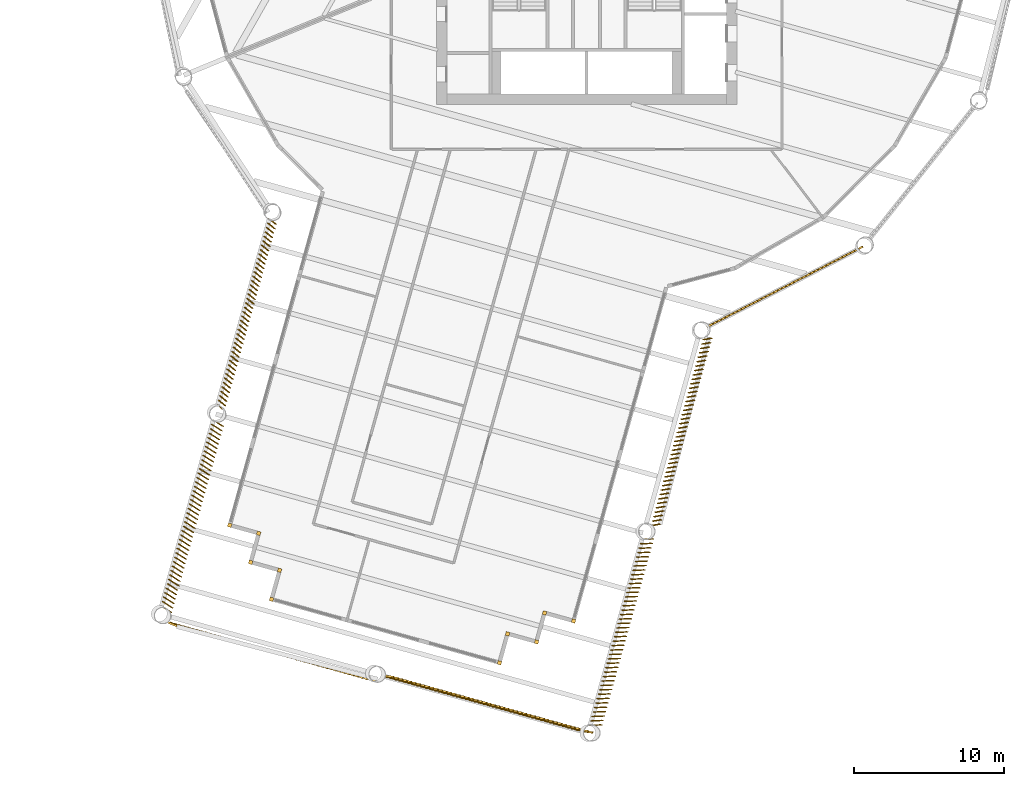
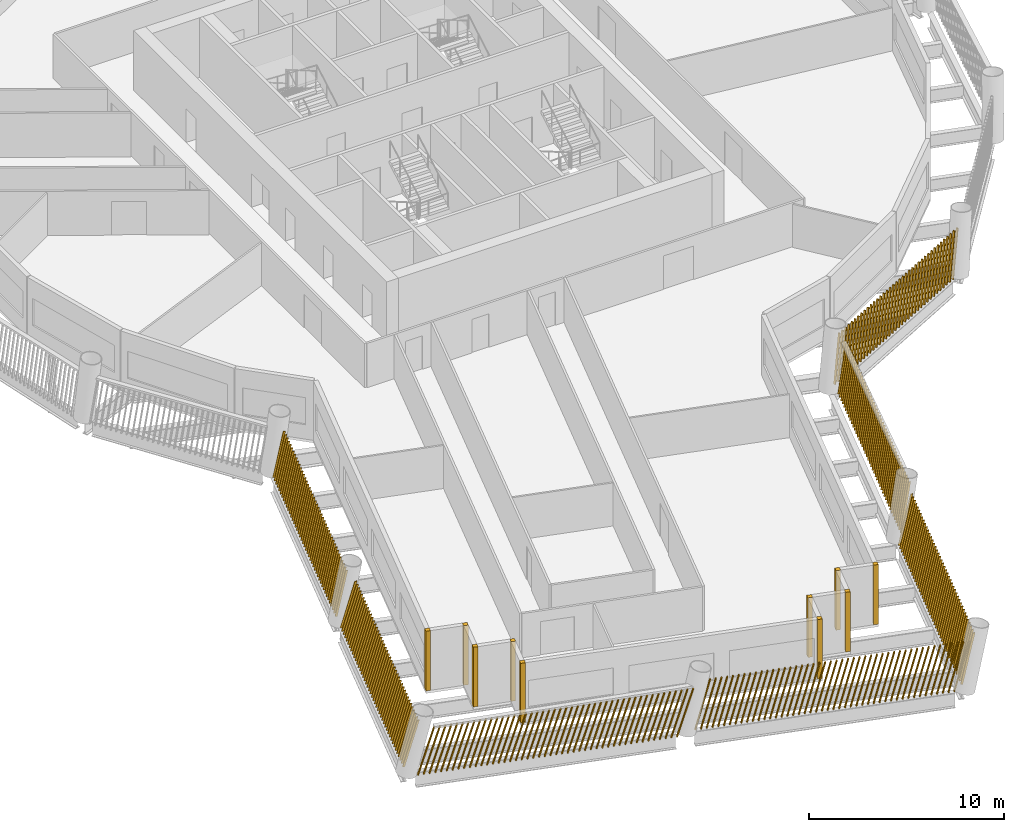
# One storey, part 11 of 15: 17 shading devices.
"""IFC4 building model written with IfcOpenShell, lengths in metres."""

from ifc_helpers import new_model, si_unit, direction, frame, frame_2d, origin, origin_2d, place, context, subcontext, project, spatial, rectangle, composite_profile, extrude, material, type_object, element, save


model = new_model("IFC4")

# Units and contexts
model_context = context("Model", 3, precision=1e-05, world=origin(), true_north=direction((0.0, 1.0)))
body_context = subcontext(model_context, "Body", "Model", "MODEL_VIEW")
ifc_project = project(units=[si_unit("LENGTHUNIT", "METRE"), si_unit("AREAUNIT", "SQUARE_METRE"), si_unit("VOLUMEUNIT", "CUBIC_METRE"), si_unit("PLANEANGLEUNIT", "RADIAN"), si_unit("MASSUNIT", "GRAM", prefix="KILO")], contexts=[model_context])

# Site, building, storey
site_placement = place(None, origin())
site = spatial("IfcSite", under=ifc_project, at=site_placement, CompositionType="ELEMENT")
building_placement = place(site_placement, origin())
building = spatial("IfcBuilding", under=site, at=building_placement, Name="Tarsis Ring Headquarters", CompositionType="ELEMENT")
storey_placement = place(building_placement, frame((0.0, 0.0, 159.300048828125)))
storey = spatial("IfcBuildingStorey", under=building, at=storey_placement, Name="L36", CompositionType="ELEMENT", Elevation=159.300048828125)

# Shading devices
ifc_material = material(Name="Terracotta baguette", Category="masonry")
shading_device_type_1 = type_object("IfcShadingDeviceType", Name="Terracotta baguette screen", PredefinedType="USERDEFINED", material=ifc_material)
shading_device_1_placement = place(storey_placement, frame((-21.0966796875, -20.591064453125, 0.0), z_axis=(0.0, 0.0, 1.0), x_axis=(-0.268240993037, -0.963347714199, 0.0)))
element("IfcShadingDevice", 1, at=shading_device_1_placement, inside=storey, type_object=shading_device_type_1, Name="Baguette screen L36-01", ObjectType="Terracotta baguette screen", PredefinedType="USERDEFINED", context=body_context, shape_type="SweptSolid", body=[
    extrude(composite_profile([rectangle(XDim=0.06005859375, YDim=0.1201171875, at=frame_2d((0.030029296875, 0.0))), rectangle(XDim=0.06005859375, YDim=0.1201171875, at=frame_2d((0.335693359375, 0.0))), rectangle(XDim=0.06005859375, YDim=0.1201171875, at=frame_2d((0.6416015625, 0.0))), rectangle(XDim=0.06005859375, YDim=0.1201171875, at=frame_2d((0.947265625, 0.0))), rectangle(XDim=0.06005859375, YDim=0.1201171875, at=frame_2d((1.253173828125, 0.0))), rectangle(XDim=0.06005859375, YDim=0.1201171875, at=frame_2d((1.558837890625, 0.0))), rectangle(XDim=0.06005859375, YDim=0.1201171875, at=frame_2d((1.864501953125, 0.0))), rectangle(XDim=0.06005859375, YDim=0.1201171875, at=frame_2d((2.17041015625, 0.0))), rectangle(XDim=0.06005859375, YDim=0.1201171875, at=frame_2d((2.47607421875, 0.0))), rectangle(XDim=0.06005859375, YDim=0.1201171875, at=frame_2d((2.781982421875, 0.0))), rectangle(XDim=0.06005859375, YDim=0.1201171875, at=frame_2d((3.087646484375, 0.0))), rectangle(XDim=0.06005859375, YDim=0.1201171875, at=frame_2d((3.393310546875, 0.0))), rectangle(XDim=0.06005859375, YDim=0.1201171875, at=frame_2d((3.69921875, 0.0))), rectangle(XDim=0.06005859375, YDim=0.1201171875, at=frame_2d((4.0048828125, 0.0))), rectangle(XDim=0.06005859375, YDim=0.1201171875, at=frame_2d((4.310791015625, 0.0))), rectangle(XDim=0.06005859375, YDim=0.1201171875, at=frame_2d((4.616455078125, 0.0))), rectangle(XDim=0.06005859375, YDim=0.1201171875, at=frame_2d((4.922119140625, 0.0))), rectangle(XDim=0.06005859375, YDim=0.1201171875, at=frame_2d((5.22802734375, 0.0))), rectangle(XDim=0.06005859375, YDim=0.1201171875, at=frame_2d((5.53369140625, 0.0))), rectangle(XDim=0.06005859375, YDim=0.1201171875, at=frame_2d((5.839599609375, 0.0))), rectangle(XDim=0.06005859375, YDim=0.1201171875, at=frame_2d((6.145263671875, 0.0))), rectangle(XDim=0.06005859375, YDim=0.1201171875, at=frame_2d((6.451171875, 0.0))), rectangle(XDim=0.06005859375, YDim=0.1201171875, at=frame_2d((6.7568359375, 0.0))), rectangle(XDim=0.06005859375, YDim=0.1201171875, at=frame_2d((7.0625, 0.0))), rectangle(XDim=0.06005859375, YDim=0.1201171875, at=frame_2d((7.368408203125, 0.0))), rectangle(XDim=0.06005859375, YDim=0.1201171875, at=frame_2d((7.674072265625, 0.0))), rectangle(XDim=0.06005859375, YDim=0.1201171875, at=frame_2d((7.97998046875, 0.0))), rectangle(XDim=0.06005859375, YDim=0.1201171875, at=frame_2d((8.28564453125, 0.0))), rectangle(XDim=0.06005859375, YDim=0.1201171875, at=frame_2d((8.59130859375, 0.0))), rectangle(XDim=0.06005859375, YDim=0.1201171875, at=frame_2d((8.897216796875, 0.0))), rectangle(XDim=0.06005859375, YDim=0.1201171875, at=frame_2d((9.202880859375, 0.0))), rectangle(XDim=0.06005859375, YDim=0.1201171875, at=frame_2d((9.5087890625, 0.0))), rectangle(XDim=0.06005859375, YDim=0.1201171875, at=frame_2d((9.814453125, 0.0))), rectangle(XDim=0.06005859375, YDim=0.1201171875, at=frame_2d((10.1201171875, 0.0))), rectangle(XDim=0.06005859375, YDim=0.1201171875, at=frame_2d((10.426025390625, 0.0))), rectangle(XDim=0.06005859375, YDim=0.1201171875, at=frame_2d((10.731689453125, 0.0))), rectangle(XDim=0.06005859375, YDim=0.1201171875, at=frame_2d((11.03759765625, 0.0))), rectangle(XDim=0.06005859375, YDim=0.1201171875, at=frame_2d((11.34326171875, 0.0))), rectangle(XDim=0.06005859375, YDim=0.1201171875, at=frame_2d((11.64892578125, 0.0))), rectangle(XDim=0.06005859375, YDim=0.1201171875, at=frame_2d((11.954833984375, 0.0))), rectangle(XDim=0.06005859375, YDim=0.1201171875, at=frame_2d((12.260498046875, 0.0))), rectangle(XDim=0.06005859375, YDim=0.1201171875, at=frame_2d((12.56640625, 0.0))), rectangle(XDim=0.06005859375, YDim=0.1201171875, at=frame_2d((12.8720703125, 0.0)))]), origin(), (0.076142282344, 0.167797563397, 0.982876559166), 3.00146484375),
])
shading_device_2_placement = place(storey_placement, frame((-24.825927734375, -33.98388671875, 0.0), z_axis=(0.0, 0.0, 1.0), x_axis=(-0.26824606884, -0.963347020645, 0.0)))
element("IfcShadingDevice", 2, at=shading_device_2_placement, inside=storey, type_object=shading_device_type_1, Name="Baguette screen L36-02", ObjectType="Terracotta baguette screen", PredefinedType="USERDEFINED", context=body_context, shape_type="SweptSolid", body=[
    extrude(composite_profile([rectangle(XDim=0.06005859375, YDim=0.1201171875, at=frame_2d((0.030029296875, 0.0))), rectangle(XDim=0.06005859375, YDim=0.1201171875, at=frame_2d((0.335693359375, 0.0))), rectangle(XDim=0.06005859375, YDim=0.1201171875, at=frame_2d((0.6416015625, 0.0))), rectangle(XDim=0.06005859375, YDim=0.1201171875, at=frame_2d((0.947265625, 0.0))), rectangle(XDim=0.06005859375, YDim=0.1201171875, at=frame_2d((1.253173828125, 0.0))), rectangle(XDim=0.06005859375, YDim=0.1201171875, at=frame_2d((1.558837890625, 0.0))), rectangle(XDim=0.06005859375, YDim=0.1201171875, at=frame_2d((1.864501953125, 0.0))), rectangle(XDim=0.06005859375, YDim=0.1201171875, at=frame_2d((2.17041015625, 0.0))), rectangle(XDim=0.06005859375, YDim=0.1201171875, at=frame_2d((2.47607421875, 0.0))), rectangle(XDim=0.06005859375, YDim=0.1201171875, at=frame_2d((2.781982421875, 0.0))), rectangle(XDim=0.06005859375, YDim=0.1201171875, at=frame_2d((3.087646484375, 0.0))), rectangle(XDim=0.06005859375, YDim=0.1201171875, at=frame_2d((3.393310546875, 0.0))), rectangle(XDim=0.06005859375, YDim=0.1201171875, at=frame_2d((3.69921875, 0.0))), rectangle(XDim=0.06005859375, YDim=0.1201171875, at=frame_2d((4.0048828125, 0.0))), rectangle(XDim=0.06005859375, YDim=0.1201171875, at=frame_2d((4.310791015625, 0.0))), rectangle(XDim=0.06005859375, YDim=0.1201171875, at=frame_2d((4.616455078125, 0.0))), rectangle(XDim=0.06005859375, YDim=0.1201171875, at=frame_2d((4.922119140625, 0.0))), rectangle(XDim=0.06005859375, YDim=0.1201171875, at=frame_2d((5.22802734375, 0.0))), rectangle(XDim=0.06005859375, YDim=0.1201171875, at=frame_2d((5.53369140625, 0.0))), rectangle(XDim=0.06005859375, YDim=0.1201171875, at=frame_2d((5.839599609375, 0.0))), rectangle(XDim=0.06005859375, YDim=0.1201171875, at=frame_2d((6.145263671875, 0.0))), rectangle(XDim=0.06005859375, YDim=0.1201171875, at=frame_2d((6.451171875, 0.0))), rectangle(XDim=0.06005859375, YDim=0.1201171875, at=frame_2d((6.7568359375, 0.0))), rectangle(XDim=0.06005859375, YDim=0.1201171875, at=frame_2d((7.0625, 0.0))), rectangle(XDim=0.06005859375, YDim=0.1201171875, at=frame_2d((7.368408203125, 0.0))), rectangle(XDim=0.06005859375, YDim=0.1201171875, at=frame_2d((7.674072265625, 0.0))), rectangle(XDim=0.06005859375, YDim=0.1201171875, at=frame_2d((7.97998046875, 0.0))), rectangle(XDim=0.06005859375, YDim=0.1201171875, at=frame_2d((8.28564453125, 0.0))), rectangle(XDim=0.06005859375, YDim=0.1201171875, at=frame_2d((8.59130859375, 0.0))), rectangle(XDim=0.06005859375, YDim=0.1201171875, at=frame_2d((8.897216796875, 0.0))), rectangle(XDim=0.06005859375, YDim=0.1201171875, at=frame_2d((9.202880859375, 0.0))), rectangle(XDim=0.06005859375, YDim=0.1201171875, at=frame_2d((9.5087890625, 0.0))), rectangle(XDim=0.06005859375, YDim=0.1201171875, at=frame_2d((9.814453125, 0.0))), rectangle(XDim=0.06005859375, YDim=0.1201171875, at=frame_2d((10.1201171875, 0.0))), rectangle(XDim=0.06005859375, YDim=0.1201171875, at=frame_2d((10.426025390625, 0.0))), rectangle(XDim=0.06005859375, YDim=0.1201171875, at=frame_2d((10.731689453125, 0.0))), rectangle(XDim=0.06005859375, YDim=0.1201171875, at=frame_2d((11.03759765625, 0.0))), rectangle(XDim=0.06005859375, YDim=0.1201171875, at=frame_2d((11.34326171875, 0.0))), rectangle(XDim=0.06005859375, YDim=0.1201171875, at=frame_2d((11.64892578125, 0.0))), rectangle(XDim=0.06005859375, YDim=0.1201171875, at=frame_2d((11.954833984375, 0.0))), rectangle(XDim=0.06005859375, YDim=0.1201171875, at=frame_2d((12.260498046875, 0.0))), rectangle(XDim=0.06005859375, YDim=0.1201171875, at=frame_2d((12.56640625, 0.0))), rectangle(XDim=0.06005859375, YDim=0.1201171875, at=frame_2d((12.8720703125, 0.0)))]), origin(), (0.074474971187, 0.237068457894, 0.968634102713), 3.04541015625),
])
shading_device_3_placement = place(storey_placement, frame((-28.0400390625, -47.39013671875, 0.0), z_axis=(0.0, 0.0, 1.0), x_axis=(0.963343653251, -0.268252985405, 0.0)))
element("IfcShadingDevice", 3, at=shading_device_3_placement, inside=storey, type_object=shading_device_type_1, Name="Baguette screen L36-03", ObjectType="Terracotta baguette screen", PredefinedType="USERDEFINED", context=body_context, shape_type="SweptSolid", body=[
    extrude(composite_profile([rectangle(XDim=0.06005859375, YDim=0.1201171875, at=frame_2d((0.030029296875, 0.0))), rectangle(XDim=0.06005859375, YDim=0.1201171875, at=frame_2d((0.33544921875, 0.0))), rectangle(XDim=0.06005859375, YDim=0.1201171875, at=frame_2d((0.640625, 0.0))), rectangle(XDim=0.06005859375, YDim=0.1201171875, at=frame_2d((0.946044921875, 0.0))), rectangle(XDim=0.06005859375, YDim=0.1201171875, at=frame_2d((1.25146484375, 0.0))), rectangle(XDim=0.06005859375, YDim=0.1201171875, at=frame_2d((1.556640625, 0.0))), rectangle(XDim=0.06005859375, YDim=0.1201171875, at=frame_2d((1.862060546875, 0.0))), rectangle(XDim=0.06005859375, YDim=0.1201171875, at=frame_2d((2.16748046875, 0.0))), rectangle(XDim=0.06005859375, YDim=0.1201171875, at=frame_2d((2.47265625, 0.0))), rectangle(XDim=0.06005859375, YDim=0.1201171875, at=frame_2d((2.778076171875, 0.0))), rectangle(XDim=0.06005859375, YDim=0.1201171875, at=frame_2d((3.08349609375, 0.0))), rectangle(XDim=0.06005859375, YDim=0.1201171875, at=frame_2d((3.388671875, 0.0))), rectangle(XDim=0.06005859375, YDim=0.1201171875, at=frame_2d((3.694091796875, 0.0))), rectangle(XDim=0.06005859375, YDim=0.1201171875, at=frame_2d((3.99951171875, 0.0))), rectangle(XDim=0.06005859375, YDim=0.1201171875, at=frame_2d((4.3046875, 0.0))), rectangle(XDim=0.06005859375, YDim=0.1201171875, at=frame_2d((4.610107421875, 0.0))), rectangle(XDim=0.06005859375, YDim=0.1201171875, at=frame_2d((4.91552734375, 0.0))), rectangle(XDim=0.06005859375, YDim=0.1201171875, at=frame_2d((5.220703125, 0.0))), rectangle(XDim=0.06005859375, YDim=0.1201171875, at=frame_2d((5.526123046875, 0.0))), rectangle(XDim=0.06005859375, YDim=0.1201171875, at=frame_2d((5.83154296875, 0.0))), rectangle(XDim=0.06005859375, YDim=0.1201171875, at=frame_2d((6.13671875, 0.0))), rectangle(XDim=0.06005859375, YDim=0.1201171875, at=frame_2d((6.442138671875, 0.0))), rectangle(XDim=0.06005859375, YDim=0.1201171875, at=frame_2d((6.74755859375, 0.0))), rectangle(XDim=0.06005859375, YDim=0.1201171875, at=frame_2d((7.052734375, 0.0))), rectangle(XDim=0.06005859375, YDim=0.1201171875, at=frame_2d((7.358154296875, 0.0))), rectangle(XDim=0.06005859375, YDim=0.1201171875, at=frame_2d((7.66357421875, 0.0))), rectangle(XDim=0.06005859375, YDim=0.1201171875, at=frame_2d((7.96875, 0.0))), rectangle(XDim=0.06005859375, YDim=0.1201171875, at=frame_2d((8.274169921875, 0.0))), rectangle(XDim=0.06005859375, YDim=0.1201171875, at=frame_2d((8.57958984375, 0.0))), rectangle(XDim=0.06005859375, YDim=0.1201171875, at=frame_2d((8.884765625, 0.0))), rectangle(XDim=0.06005859375, YDim=0.1201171875, at=frame_2d((9.190185546875, 0.0))), rectangle(XDim=0.06005859375, YDim=0.1201171875, at=frame_2d((9.49560546875, 0.0))), rectangle(XDim=0.06005859375, YDim=0.1201171875, at=frame_2d((9.80078125, 0.0))), rectangle(XDim=0.06005859375, YDim=0.1201171875, at=frame_2d((10.106201171875, 0.0))), rectangle(XDim=0.06005859375, YDim=0.1201171875, at=frame_2d((10.41162109375, 0.0))), rectangle(XDim=0.06005859375, YDim=0.1201171875, at=frame_2d((10.716796875, 0.0))), rectangle(XDim=0.06005859375, YDim=0.1201171875, at=frame_2d((11.022216796875, 0.0))), rectangle(XDim=0.06005859375, YDim=0.1201171875, at=frame_2d((11.32763671875, 0.0))), rectangle(XDim=0.06005859375, YDim=0.1201171875, at=frame_2d((11.6328125, 0.0))), rectangle(XDim=0.06005859375, YDim=0.1201171875, at=frame_2d((11.938232421875, 0.0))), rectangle(XDim=0.06005859375, YDim=0.1201171875, at=frame_2d((12.24365234375, 0.0))), rectangle(XDim=0.06005859375, YDim=0.1201171875, at=frame_2d((12.548828125, 0.0))), rectangle(XDim=0.06005859375, YDim=0.1201171875, at=frame_2d((12.854248046875, 0.0))), rectangle(XDim=0.06005859375, YDim=0.1201171875, at=frame_2d((13.15966796875, 0.0))), rectangle(XDim=0.06005859375, YDim=0.1201171875, at=frame_2d((13.46484375, 0.0))), rectangle(XDim=0.06005859375, YDim=0.1201171875, at=frame_2d((13.770263671875, 0.0)))]), origin(), (0.272526990573, -0.035744053355, 0.961483958295), 3.068115234375),
])
shading_device_4_placement = place(storey_placement, frame((-13.681884765625, -50.9990234375, 0.0), z_axis=(0.0, 0.0, 1.0), x_axis=(0.963344301737, -0.268248239748, 0.0)))
element("IfcShadingDevice", 4, at=shading_device_4_placement, inside=storey, type_object=shading_device_type_1, Name="Baguette screen L36-04", ObjectType="Terracotta baguette screen", PredefinedType="USERDEFINED", context=body_context, shape_type="SweptSolid", body=[
    extrude(composite_profile([rectangle(XDim=0.06005859375, YDim=0.1201171875, at=frame_2d((0.030029296875, 0.0))), rectangle(XDim=0.06005859375, YDim=0.1201171875, at=frame_2d((0.33544921875, 0.0))), rectangle(XDim=0.06005859375, YDim=0.1201171875, at=frame_2d((0.640625, 0.0))), rectangle(XDim=0.06005859375, YDim=0.1201171875, at=frame_2d((0.946044921875, 0.0))), rectangle(XDim=0.06005859375, YDim=0.1201171875, at=frame_2d((1.25146484375, 0.0))), rectangle(XDim=0.06005859375, YDim=0.1201171875, at=frame_2d((1.556640625, 0.0))), rectangle(XDim=0.06005859375, YDim=0.1201171875, at=frame_2d((1.862060546875, 0.0))), rectangle(XDim=0.06005859375, YDim=0.1201171875, at=frame_2d((2.16748046875, 0.0))), rectangle(XDim=0.06005859375, YDim=0.1201171875, at=frame_2d((2.47265625, 0.0))), rectangle(XDim=0.06005859375, YDim=0.1201171875, at=frame_2d((2.778076171875, 0.0))), rectangle(XDim=0.06005859375, YDim=0.1201171875, at=frame_2d((3.08349609375, 0.0))), rectangle(XDim=0.06005859375, YDim=0.1201171875, at=frame_2d((3.388671875, 0.0))), rectangle(XDim=0.06005859375, YDim=0.1201171875, at=frame_2d((3.694091796875, 0.0))), rectangle(XDim=0.06005859375, YDim=0.1201171875, at=frame_2d((3.99951171875, 0.0))), rectangle(XDim=0.06005859375, YDim=0.1201171875, at=frame_2d((4.3046875, 0.0))), rectangle(XDim=0.06005859375, YDim=0.1201171875, at=frame_2d((4.610107421875, 0.0))), rectangle(XDim=0.06005859375, YDim=0.1201171875, at=frame_2d((4.91552734375, 0.0))), rectangle(XDim=0.06005859375, YDim=0.1201171875, at=frame_2d((5.220703125, 0.0))), rectangle(XDim=0.06005859375, YDim=0.1201171875, at=frame_2d((5.526123046875, 0.0))), rectangle(XDim=0.06005859375, YDim=0.1201171875, at=frame_2d((5.83154296875, 0.0))), rectangle(XDim=0.06005859375, YDim=0.1201171875, at=frame_2d((6.13671875, 0.0))), rectangle(XDim=0.06005859375, YDim=0.1201171875, at=frame_2d((6.442138671875, 0.0))), rectangle(XDim=0.06005859375, YDim=0.1201171875, at=frame_2d((6.74755859375, 0.0))), rectangle(XDim=0.06005859375, YDim=0.1201171875, at=frame_2d((7.052734375, 0.0))), rectangle(XDim=0.06005859375, YDim=0.1201171875, at=frame_2d((7.358154296875, 0.0))), rectangle(XDim=0.06005859375, YDim=0.1201171875, at=frame_2d((7.66357421875, 0.0))), rectangle(XDim=0.06005859375, YDim=0.1201171875, at=frame_2d((7.96875, 0.0))), rectangle(XDim=0.06005859375, YDim=0.1201171875, at=frame_2d((8.274169921875, 0.0))), rectangle(XDim=0.06005859375, YDim=0.1201171875, at=frame_2d((8.57958984375, 0.0))), rectangle(XDim=0.06005859375, YDim=0.1201171875, at=frame_2d((8.884765625, 0.0))), rectangle(XDim=0.06005859375, YDim=0.1201171875, at=frame_2d((9.190185546875, 0.0))), rectangle(XDim=0.06005859375, YDim=0.1201171875, at=frame_2d((9.49560546875, 0.0))), rectangle(XDim=0.06005859375, YDim=0.1201171875, at=frame_2d((9.80078125, 0.0))), rectangle(XDim=0.06005859375, YDim=0.1201171875, at=frame_2d((10.106201171875, 0.0))), rectangle(XDim=0.06005859375, YDim=0.1201171875, at=frame_2d((10.41162109375, 0.0))), rectangle(XDim=0.06005859375, YDim=0.1201171875, at=frame_2d((10.716796875, 0.0))), rectangle(XDim=0.06005859375, YDim=0.1201171875, at=frame_2d((11.022216796875, 0.0))), rectangle(XDim=0.06005859375, YDim=0.1201171875, at=frame_2d((11.32763671875, 0.0))), rectangle(XDim=0.06005859375, YDim=0.1201171875, at=frame_2d((11.6328125, 0.0))), rectangle(XDim=0.06005859375, YDim=0.1201171875, at=frame_2d((11.938232421875, 0.0))), rectangle(XDim=0.06005859375, YDim=0.1201171875, at=frame_2d((12.24365234375, 0.0))), rectangle(XDim=0.06005859375, YDim=0.1201171875, at=frame_2d((12.548828125, 0.0))), rectangle(XDim=0.06005859375, YDim=0.1201171875, at=frame_2d((12.854248046875, 0.0))), rectangle(XDim=0.06005859375, YDim=0.1201171875, at=frame_2d((13.15966796875, 0.0))), rectangle(XDim=0.06005859375, YDim=0.1201171875, at=frame_2d((13.46484375, 0.0))), rectangle(XDim=0.06005859375, YDim=0.1201171875, at=frame_2d((13.770263671875, 0.0)))]), origin(), (0.270152555242, 0.040028806847, 0.961985078636), 3.06640625),
])
shading_device_5_placement = place(storey_placement, frame((0.228271484375, -54.353271484375, 0.0), z_axis=(0.0, 0.0, 1.0), x_axis=(0.268240993037, 0.963347714199, 0.0)))
element("IfcShadingDevice", 5, at=shading_device_5_placement, inside=storey, type_object=shading_device_type_1, Name="Baguette screen L36-05", ObjectType="Terracotta baguette screen", PredefinedType="USERDEFINED", context=body_context, shape_type="SweptSolid", body=[
    extrude(composite_profile([rectangle(XDim=0.06005859375, YDim=0.1201171875, at=frame_2d((0.030029296875, 0.0))), rectangle(XDim=0.06005859375, YDim=0.1201171875, at=frame_2d((0.335693359375, 0.0))), rectangle(XDim=0.06005859375, YDim=0.1201171875, at=frame_2d((0.6416015625, 0.0))), rectangle(XDim=0.06005859375, YDim=0.1201171875, at=frame_2d((0.947265625, 0.0))), rectangle(XDim=0.06005859375, YDim=0.1201171875, at=frame_2d((1.253173828125, 0.0))), rectangle(XDim=0.06005859375, YDim=0.1201171875, at=frame_2d((1.558837890625, 0.0))), rectangle(XDim=0.06005859375, YDim=0.1201171875, at=frame_2d((1.864501953125, 0.0))), rectangle(XDim=0.06005859375, YDim=0.1201171875, at=frame_2d((2.17041015625, 0.0))), rectangle(XDim=0.06005859375, YDim=0.1201171875, at=frame_2d((2.47607421875, 0.0))), rectangle(XDim=0.06005859375, YDim=0.1201171875, at=frame_2d((2.781982421875, 0.0))), rectangle(XDim=0.06005859375, YDim=0.1201171875, at=frame_2d((3.087646484375, 0.0))), rectangle(XDim=0.06005859375, YDim=0.1201171875, at=frame_2d((3.393310546875, 0.0))), rectangle(XDim=0.06005859375, YDim=0.1201171875, at=frame_2d((3.69921875, 0.0))), rectangle(XDim=0.06005859375, YDim=0.1201171875, at=frame_2d((4.0048828125, 0.0))), rectangle(XDim=0.06005859375, YDim=0.1201171875, at=frame_2d((4.310791015625, 0.0))), rectangle(XDim=0.06005859375, YDim=0.1201171875, at=frame_2d((4.616455078125, 0.0))), rectangle(XDim=0.06005859375, YDim=0.1201171875, at=frame_2d((4.922119140625, 0.0))), rectangle(XDim=0.06005859375, YDim=0.1201171875, at=frame_2d((5.22802734375, 0.0))), rectangle(XDim=0.06005859375, YDim=0.1201171875, at=frame_2d((5.53369140625, 0.0))), rectangle(XDim=0.06005859375, YDim=0.1201171875, at=frame_2d((5.839599609375, 0.0))), rectangle(XDim=0.06005859375, YDim=0.1201171875, at=frame_2d((6.145263671875, 0.0))), rectangle(XDim=0.06005859375, YDim=0.1201171875, at=frame_2d((6.451171875, 0.0))), rectangle(XDim=0.06005859375, YDim=0.1201171875, at=frame_2d((6.7568359375, 0.0))), rectangle(XDim=0.06005859375, YDim=0.1201171875, at=frame_2d((7.0625, 0.0))), rectangle(XDim=0.06005859375, YDim=0.1201171875, at=frame_2d((7.368408203125, 0.0))), rectangle(XDim=0.06005859375, YDim=0.1201171875, at=frame_2d((7.674072265625, 0.0))), rectangle(XDim=0.06005859375, YDim=0.1201171875, at=frame_2d((7.97998046875, 0.0))), rectangle(XDim=0.06005859375, YDim=0.1201171875, at=frame_2d((8.28564453125, 0.0))), rectangle(XDim=0.06005859375, YDim=0.1201171875, at=frame_2d((8.59130859375, 0.0))), rectangle(XDim=0.06005859375, YDim=0.1201171875, at=frame_2d((8.897216796875, 0.0))), rectangle(XDim=0.06005859375, YDim=0.1201171875, at=frame_2d((9.202880859375, 0.0))), rectangle(XDim=0.06005859375, YDim=0.1201171875, at=frame_2d((9.5087890625, 0.0))), rectangle(XDim=0.06005859375, YDim=0.1201171875, at=frame_2d((9.814453125, 0.0))), rectangle(XDim=0.06005859375, YDim=0.1201171875, at=frame_2d((10.1201171875, 0.0))), rectangle(XDim=0.06005859375, YDim=0.1201171875, at=frame_2d((10.426025390625, 0.0))), rectangle(XDim=0.06005859375, YDim=0.1201171875, at=frame_2d((10.731689453125, 0.0))), rectangle(XDim=0.06005859375, YDim=0.1201171875, at=frame_2d((11.03759765625, 0.0))), rectangle(XDim=0.06005859375, YDim=0.1201171875, at=frame_2d((11.34326171875, 0.0))), rectangle(XDim=0.06005859375, YDim=0.1201171875, at=frame_2d((11.64892578125, 0.0))), rectangle(XDim=0.06005859375, YDim=0.1201171875, at=frame_2d((11.954833984375, 0.0))), rectangle(XDim=0.06005859375, YDim=0.1201171875, at=frame_2d((12.260498046875, 0.0))), rectangle(XDim=0.06005859375, YDim=0.1201171875, at=frame_2d((12.56640625, 0.0))), rectangle(XDim=0.06005859375, YDim=0.1201171875, at=frame_2d((12.8720703125, 0.0)))]), origin(), (0.078187978636, -0.235869990151, 0.968634083513), 3.04541015625),
])
shading_device_6_placement = place(storey_placement, frame((4.31884765625, -41.06103515625, 0.0), z_axis=(0.0, 0.0, 1.0), x_axis=(0.26824606884, 0.963347020645, 0.0)))
element("IfcShadingDevice", 6, at=shading_device_6_placement, inside=storey, type_object=shading_device_type_1, Name="Baguette screen L36-06", ObjectType="Terracotta baguette screen", PredefinedType="USERDEFINED", context=body_context, shape_type="SweptSolid", body=[
    extrude(composite_profile([rectangle(XDim=0.06005859375, YDim=0.1201171875, at=frame_2d((0.030029296875, 0.0))), rectangle(XDim=0.06005859375, YDim=0.1201171875, at=frame_2d((0.335693359375, 0.0))), rectangle(XDim=0.06005859375, YDim=0.1201171875, at=frame_2d((0.6416015625, 0.0))), rectangle(XDim=0.06005859375, YDim=0.1201171875, at=frame_2d((0.947265625, 0.0))), rectangle(XDim=0.06005859375, YDim=0.1201171875, at=frame_2d((1.253173828125, 0.0))), rectangle(XDim=0.06005859375, YDim=0.1201171875, at=frame_2d((1.558837890625, 0.0))), rectangle(XDim=0.06005859375, YDim=0.1201171875, at=frame_2d((1.864501953125, 0.0))), rectangle(XDim=0.06005859375, YDim=0.1201171875, at=frame_2d((2.17041015625, 0.0))), rectangle(XDim=0.06005859375, YDim=0.1201171875, at=frame_2d((2.47607421875, 0.0))), rectangle(XDim=0.06005859375, YDim=0.1201171875, at=frame_2d((2.781982421875, 0.0))), rectangle(XDim=0.06005859375, YDim=0.1201171875, at=frame_2d((3.087646484375, 0.0))), rectangle(XDim=0.06005859375, YDim=0.1201171875, at=frame_2d((3.393310546875, 0.0))), rectangle(XDim=0.06005859375, YDim=0.1201171875, at=frame_2d((3.69921875, 0.0))), rectangle(XDim=0.06005859375, YDim=0.1201171875, at=frame_2d((4.0048828125, 0.0))), rectangle(XDim=0.06005859375, YDim=0.1201171875, at=frame_2d((4.310791015625, 0.0))), rectangle(XDim=0.06005859375, YDim=0.1201171875, at=frame_2d((4.616455078125, 0.0))), rectangle(XDim=0.06005859375, YDim=0.1201171875, at=frame_2d((4.922119140625, 0.0))), rectangle(XDim=0.06005859375, YDim=0.1201171875, at=frame_2d((5.22802734375, 0.0))), rectangle(XDim=0.06005859375, YDim=0.1201171875, at=frame_2d((5.53369140625, 0.0))), rectangle(XDim=0.06005859375, YDim=0.1201171875, at=frame_2d((5.839599609375, 0.0))), rectangle(XDim=0.06005859375, YDim=0.1201171875, at=frame_2d((6.145263671875, 0.0))), rectangle(XDim=0.06005859375, YDim=0.1201171875, at=frame_2d((6.451171875, 0.0))), rectangle(XDim=0.06005859375, YDim=0.1201171875, at=frame_2d((6.7568359375, 0.0))), rectangle(XDim=0.06005859375, YDim=0.1201171875, at=frame_2d((7.0625, 0.0))), rectangle(XDim=0.06005859375, YDim=0.1201171875, at=frame_2d((7.368408203125, 0.0))), rectangle(XDim=0.06005859375, YDim=0.1201171875, at=frame_2d((7.674072265625, 0.0))), rectangle(XDim=0.06005859375, YDim=0.1201171875, at=frame_2d((7.97998046875, 0.0))), rectangle(XDim=0.06005859375, YDim=0.1201171875, at=frame_2d((8.28564453125, 0.0))), rectangle(XDim=0.06005859375, YDim=0.1201171875, at=frame_2d((8.59130859375, 0.0))), rectangle(XDim=0.06005859375, YDim=0.1201171875, at=frame_2d((8.897216796875, 0.0))), rectangle(XDim=0.06005859375, YDim=0.1201171875, at=frame_2d((9.202880859375, 0.0))), rectangle(XDim=0.06005859375, YDim=0.1201171875, at=frame_2d((9.5087890625, 0.0))), rectangle(XDim=0.06005859375, YDim=0.1201171875, at=frame_2d((9.814453125, 0.0))), rectangle(XDim=0.06005859375, YDim=0.1201171875, at=frame_2d((10.1201171875, 0.0))), rectangle(XDim=0.06005859375, YDim=0.1201171875, at=frame_2d((10.426025390625, 0.0))), rectangle(XDim=0.06005859375, YDim=0.1201171875, at=frame_2d((10.731689453125, 0.0))), rectangle(XDim=0.06005859375, YDim=0.1201171875, at=frame_2d((11.03759765625, 0.0))), rectangle(XDim=0.06005859375, YDim=0.1201171875, at=frame_2d((11.34326171875, 0.0))), rectangle(XDim=0.06005859375, YDim=0.1201171875, at=frame_2d((11.64892578125, 0.0))), rectangle(XDim=0.06005859375, YDim=0.1201171875, at=frame_2d((11.954833984375, 0.0))), rectangle(XDim=0.06005859375, YDim=0.1201171875, at=frame_2d((12.260498046875, 0.0))), rectangle(XDim=0.06005859375, YDim=0.1201171875, at=frame_2d((12.56640625, 0.0))), rectangle(XDim=0.06005859375, YDim=0.1201171875, at=frame_2d((12.8720703125, 0.0)))]), origin(), (0.080717890752, -0.166540426879, 0.982725245594), 3.001708984375),
])
shading_device_7_placement = place(storey_placement, frame((7.9970703125, -27.820556640625, 0.0), z_axis=(0.0, 0.0, 1.0), x_axis=(0.889093868692, 0.457731958763, 0.0)))
element("IfcShadingDevice", 7, at=shading_device_7_placement, inside=storey, type_object=shading_device_type_1, Name="Baguette screen L36-07", ObjectType="Terracotta baguette screen", PredefinedType="USERDEFINED", context=body_context, shape_type="SweptSolid", body=[
    extrude(composite_profile([rectangle(XDim=0.06005859375, YDim=0.1201171875, at=frame_2d((0.030029296875, 0.0))), rectangle(XDim=0.06005859375, YDim=0.1201171875, at=frame_2d((0.33251953125, 0.0))), rectangle(XDim=0.06005859375, YDim=0.1201171875, at=frame_2d((0.634765625, 0.0))), rectangle(XDim=0.06005859375, YDim=0.1201171875, at=frame_2d((0.937255859375, 0.0))), rectangle(XDim=0.06005859375, YDim=0.1201171875, at=frame_2d((1.239501953125, 0.0))), rectangle(XDim=0.06005859375, YDim=0.1201171875, at=frame_2d((1.5419921875, 0.0))), rectangle(XDim=0.06005859375, YDim=0.1201171875, at=frame_2d((1.844482421875, 0.0))), rectangle(XDim=0.06005859375, YDim=0.1201171875, at=frame_2d((2.146728515625, 0.0))), rectangle(XDim=0.06005859375, YDim=0.1201171875, at=frame_2d((2.44921875, 0.0))), rectangle(XDim=0.06005859375, YDim=0.1201171875, at=frame_2d((2.751708984375, 0.0))), rectangle(XDim=0.06005859375, YDim=0.1201171875, at=frame_2d((3.053955078125, 0.0))), rectangle(XDim=0.06005859375, YDim=0.1201171875, at=frame_2d((3.3564453125, 0.0))), rectangle(XDim=0.06005859375, YDim=0.1201171875, at=frame_2d((3.65869140625, 0.0))), rectangle(XDim=0.06005859375, YDim=0.1201171875, at=frame_2d((3.961181640625, 0.0))), rectangle(XDim=0.06005859375, YDim=0.1201171875, at=frame_2d((4.263671875, 0.0))), rectangle(XDim=0.06005859375, YDim=0.1201171875, at=frame_2d((4.56591796875, 0.0))), rectangle(XDim=0.06005859375, YDim=0.1201171875, at=frame_2d((4.868408203125, 0.0))), rectangle(XDim=0.06005859375, YDim=0.1201171875, at=frame_2d((5.1708984375, 0.0))), rectangle(XDim=0.06005859375, YDim=0.1201171875, at=frame_2d((5.47314453125, 0.0))), rectangle(XDim=0.06005859375, YDim=0.1201171875, at=frame_2d((5.775634765625, 0.0))), rectangle(XDim=0.06005859375, YDim=0.1201171875, at=frame_2d((6.077880859375, 0.0))), rectangle(XDim=0.06005859375, YDim=0.1201171875, at=frame_2d((6.38037109375, 0.0))), rectangle(XDim=0.06005859375, YDim=0.1201171875, at=frame_2d((6.682861328125, 0.0))), rectangle(XDim=0.06005859375, YDim=0.1201171875, at=frame_2d((6.985107421875, 0.0))), rectangle(XDim=0.06005859375, YDim=0.1201171875, at=frame_2d((7.28759765625, 0.0))), rectangle(XDim=0.06005859375, YDim=0.1201171875, at=frame_2d((7.590087890625, 0.0))), rectangle(XDim=0.06005859375, YDim=0.1201171875, at=frame_2d((7.892333984375, 0.0))), rectangle(XDim=0.06005859375, YDim=0.1201171875, at=frame_2d((8.19482421875, 0.0))), rectangle(XDim=0.06005859375, YDim=0.1201171875, at=frame_2d((8.4970703125, 0.0))), rectangle(XDim=0.06005859375, YDim=0.1201171875, at=frame_2d((8.799560546875, 0.0))), rectangle(XDim=0.06005859375, YDim=0.1201171875, at=frame_2d((9.10205078125, 0.0))), rectangle(XDim=0.06005859375, YDim=0.1201171875, at=frame_2d((9.404296875, 0.0))), rectangle(XDim=0.06005859375, YDim=0.1201171875, at=frame_2d((9.706787109375, 0.0))), rectangle(XDim=0.06005859375, YDim=0.1201171875, at=frame_2d((10.00927734375, 0.0))), rectangle(XDim=0.06005859375, YDim=0.1201171875, at=frame_2d((10.3115234375, 0.0))), rectangle(XDim=0.06005859375, YDim=0.1201171875, at=frame_2d((10.614013671875, 0.0))), rectangle(XDim=0.06005859375, YDim=0.1201171875, at=frame_2d((10.916259765625, 0.0))), rectangle(XDim=0.06005859375, YDim=0.1201171875, at=frame_2d((11.21875, 0.0)))]), origin(), (0.149496668171, 0.00117564869, 0.988761530429), 2.9833984375),
])
shading_device_type_2 = type_object("IfcShadingDeviceType", Name="Terracotta corner baguette 250x250", PredefinedType="USERDEFINED", material=ifc_material)
for number, where, z_axis, x_axis, name in (
    (8, (-23.74560546875, -41.00830078125, 0.0), (0.0, 0.0, 1.0), (-0.268247324001, -0.963350078199, 0.0), "Corner baguette L36-07"),
    (9, (-21.81884765625, -41.544677734375, 0.0), (0.0, 0.0, 1.0), (0.963350064154, -0.268247374442, 0.0), "Corner baguette L36-08"),
    (10, (-22.35546875, -43.471435546875, 0.0), (0.0, 0.0, 1.0), (-0.268247508951, -0.963350026699, 0.0), "Corner baguette L36-09"),
    (11, (-20.4287109375, -44.008056640625, 0.0), (0.0, 0.0, 1.0), (0.963350026699, -0.268247508951, 0.0), "Corner baguette L36-10"),
    (12, (-20.96533203125, -45.9345703125, 0.0), (0.0, 0.0, 1.0), (-0.268247508951, -0.963350026699, 0.0), "Corner baguette L36-11"),
    (13, (-5.79248046875, -50.159423828125, 0.0), (0.0, 0.0, 1.0), (0.963350078199, -0.268247324001, 0.0), "Corner baguette L36-12"),
    (14, (-5.255859375, -48.23291015625, 0.0), (0.0, 0.0, 1.0), (0.268247508951, 0.963350026699, 0.0), "Corner baguette L36-13"),
    (15, (-3.329345703125, -48.769287109375, 0.0), (0.0, 0.0, 1.0), (0.963350064154, -0.268247374442, 0.0), "Corner baguette L36-14"),
    (16, (-2.792724609375, -46.842529296875, 0.0), (0.0, 0.0, 1.0), (0.268246920474, 0.963350190562, 0.0), "Corner baguette L36-15"),
    (17, (-0.865966796875, -47.379150390625, 0.0), (0.0, 0.0, 1.0), (0.963350026699, -0.268247508951, 0.0), "Corner baguette L36-16"),
):
    element("IfcShadingDevice", number, at=place(storey_placement, frame(where, z_axis=z_axis, x_axis=x_axis)), inside=storey, type_object=shading_device_type_2, Name=name, ObjectType="Terracotta corner baguette", PredefinedType="USERDEFINED", context=body_context, shape_type="SweptSolid", body=[
        extrude(rectangle(XDim=0.25, YDim=0.25, at=origin_2d()), origin(), (0.0, 0.0, 1.0), 3.739990234375),
    ])

save(model, "model.ifc")
